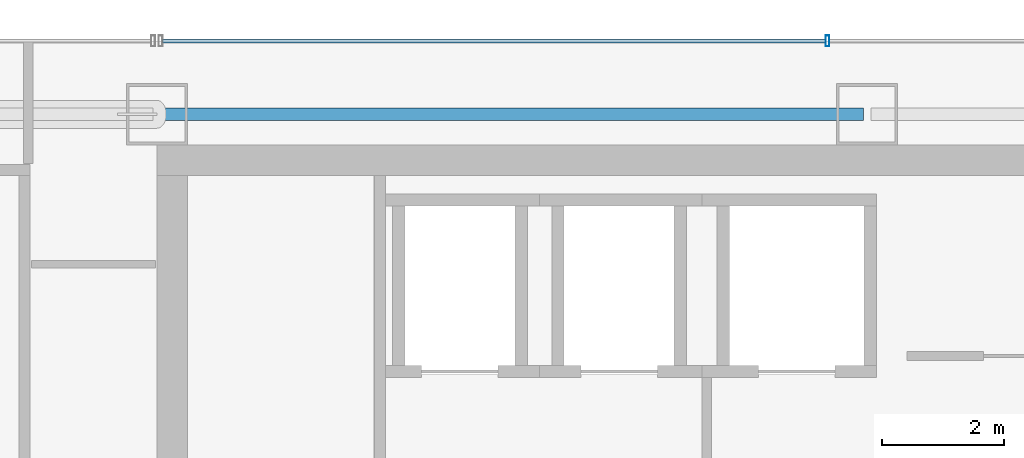
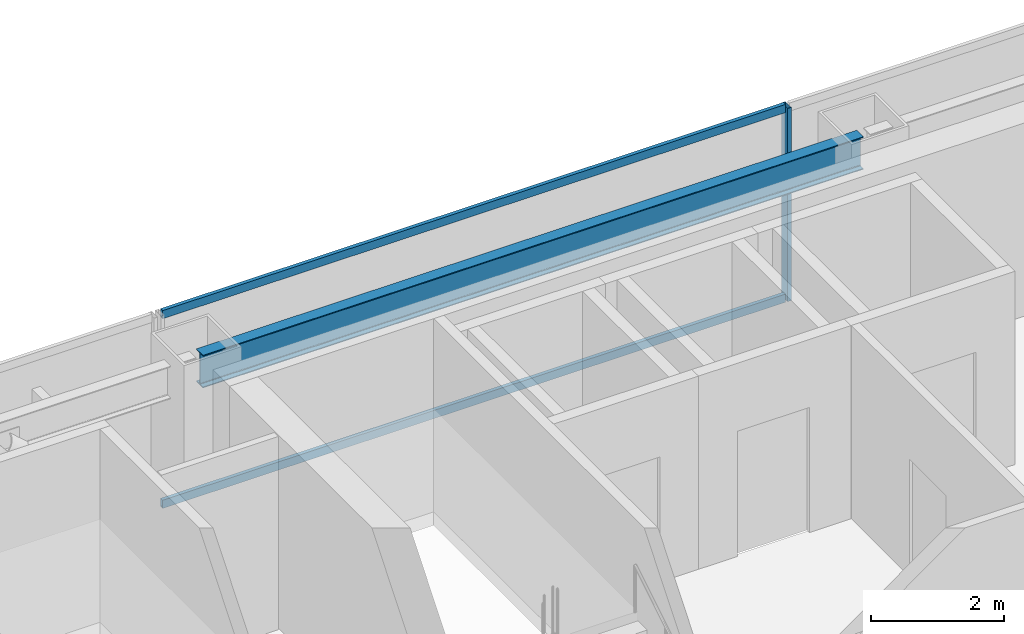
# One storey, part 23 of 36: 3 members, 1 beam, 1 element without a shape of its own.
"""IFC4 building model written with IfcOpenShell, lengths in metres."""

from ifc_helpers import new_model, si_unit, direction, frame, origin, origin_2d, place, context, subcontext, project, spatial, hollow_rectangle, i_section, extrude, material, material_profile, profile_set, type_object, element, aggregate, save


model = new_model("IFC4")

# Units and contexts
model_context = context("Model", 3, precision=1e-05, world=origin(), true_north=direction((0.0, 1.0)))
body_context = subcontext(model_context, "Body", "Model", "MODEL_VIEW")
ifc_project = project(units=[si_unit("LENGTHUNIT", "METRE"), si_unit("AREAUNIT", "SQUARE_METRE"), si_unit("VOLUMEUNIT", "CUBIC_METRE"), si_unit("PLANEANGLEUNIT", "RADIAN"), si_unit("MASSUNIT", "GRAM", prefix="KILO")], contexts=[model_context])

# Site, building, storey
site_placement = place(None, origin())
site = spatial("IfcSite", under=ifc_project, at=site_placement, CompositionType="ELEMENT")
building_placement = place(site_placement, origin())
building = spatial("IfcBuilding", under=site, at=building_placement, Name="Saevonmaru Cultural Tower", CompositionType="ELEMENT")
storey_placement = place(building_placement, frame((0.0, 0.0, 171.39990234375)))
storey = spatial("IfcBuildingStorey", under=building, at=storey_placement, Name="L38", CompositionType="ELEMENT", Elevation=171.39990234375)

# Beam
ifc_material_1 = material(Name="Steel SM355", Category="steel")
ifc_material_profile_1 = material_profile(ifc_material_1, i_section(OverallWidth=0.199951171875, OverallDepth=0.60009765625, WebThickness=0.010986328125, FlangeThickness=0.01708984375, FilletRadius=0.02197265625, at=origin_2d()), Name="H-600x200x11x17")
ifc_profile_set_1 = profile_set([ifc_material_profile_1], Name="Steel SM355")
beam_type = type_object("IfcBeamType", Name="BM-SP-H600", PredefinedType="SPANDREL", material=ifc_profile_set_1)
beam_placement = place(storey_placement, frame((13.659912109375, 54.800048828125, 3.25), z_axis=(1.0, 0.0, 0.0), x_axis=(0.0, 1.0, 0.0)))
element("IfcBeam", 1, at=beam_placement, inside=storey, type_object=beam_type, Name="L38 North Spine Girder 2", PredefinedType="SPANDREL", context=body_context, shape_type="SweptSolid", body=[
    extrude(i_section(OverallWidth=0.199951171875, OverallDepth=0.60009765625, WebThickness=0.010986328125, FlangeThickness=0.01708984375, FilletRadius=0.02197265625, at=origin_2d()), origin(), (0.0, 0.0, 1.0), 11.47998046875),
])

# Curtain wall, members
ifc_material_2 = material(Name="Satin Bronze Anodised Aluminium", Category="aluminium")
curtain_wall_type = type_object("IfcCurtainWallType", Name="CW-TYP-A", PredefinedType="NOTDEFINED", material=ifc_material_2)
curtain_wall_placement = place(storey_placement, origin())
curtain_wall = element("IfcCurtainWall", 2, at=curtain_wall_placement, inside=storey, type_object=curtain_wall_type, Name="L38 North Spine Unitised Curtain Wall E10B", PredefinedType="NOTDEFINED")
ifc_material_profile_2 = material_profile(ifc_material_2, hollow_rectangle(XDim=0.06494140625, YDim=0.179931640625, WallThickness=0.00390625, at=origin_2d()), Name="ALU-MULL-180x65x4")
ifc_profile_set_2 = profile_set([ifc_material_profile_2], Name="Satin Bronze Anodised Aluminium")
member_type_1 = type_object("IfcMemberType", Name="ML-CW-180x65", PredefinedType="MULLION", material=ifc_profile_set_2)
member_1_placement = place(storey_placement, frame((24.55322265625, 56.0, 0.0), z_axis=(0.0, 0.0, 1.0), x_axis=(-1.0, 0.0, 0.0)))
member_1 = element("IfcMember", 3, at=member_1_placement, type_object=member_type_1, Name="CW-TW-L38-E10B mullion 3", PredefinedType="MULLION", context=body_context, shape_type="SweptSolid", body=[
    extrude(hollow_rectangle(XDim=0.06494140625, YDim=0.179931640625, WallThickness=0.00390625, at=origin_2d()), origin(), (0.0, 0.0, 1.0), 3.550048828125),
])
ifc_material_profile_3 = material_profile(ifc_material_2, hollow_rectangle(XDim=0.06494140625, YDim=0.14990234375, WallThickness=0.00390625, at=origin_2d()), Name="ALU-TRAN-150x65x4")
ifc_profile_set_3 = profile_set([ifc_material_profile_3], Name="Satin Bronze Anodised Aluminium")
member_type_2 = type_object("IfcMemberType", Name="TR-CW-150x65", PredefinedType="USERDEFINED", material=ifc_profile_set_3)
member_2_placement = place(storey_placement, frame((24.520751953125, 56.0, 0.03271484375), z_axis=(-1.0, 0.0, 0.0), x_axis=(0.0, -1.0, 0.0)))
member_2 = element("IfcMember", 4, at=member_2_placement, type_object=member_type_2, Name="CW-TW-L38-E10B transom 3.1", ObjectType="TRANSOM", PredefinedType="USERDEFINED", context=body_context, shape_type="SweptSolid", body=[
    extrude(hollow_rectangle(XDim=0.06494140625, YDim=0.14990234375, WallThickness=0.00390625, at=origin_2d()), origin(), (0.0, 0.0, 1.0), 10.828369140625),
])
member_3_placement = place(storey_placement, frame((24.520751953125, 56.0, 3.517578125), z_axis=(-1.0, 0.0, 0.0), x_axis=(0.0, -1.0, 0.0)))
member_3 = element("IfcMember", 5, at=member_3_placement, type_object=member_type_2, Name="CW-TW-L38-E10B transom 3.2", ObjectType="TRANSOM", PredefinedType="USERDEFINED", context=body_context, shape_type="SweptSolid", body=[
    extrude(hollow_rectangle(XDim=0.06494140625, YDim=0.14990234375, WallThickness=0.00390625, at=origin_2d()), origin(), (0.0, 0.0, 1.0), 10.828369140625),
])
aggregate(curtain_wall, [member_1, member_2, member_3])

save(model, "model.ifc")
